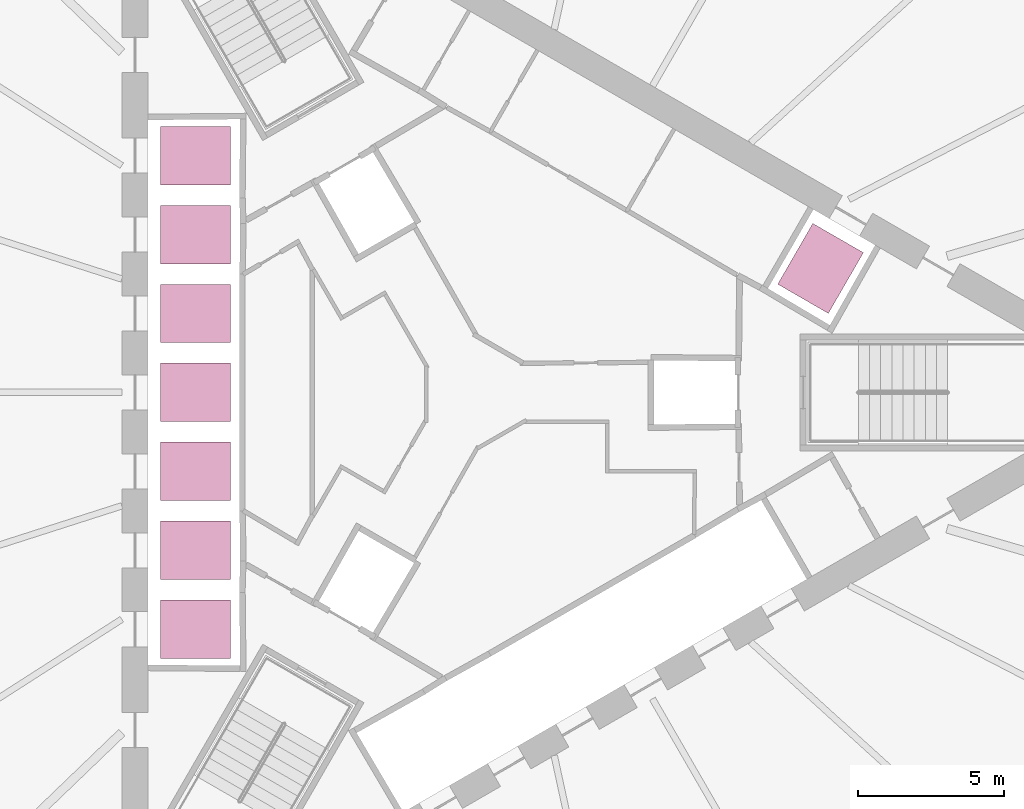
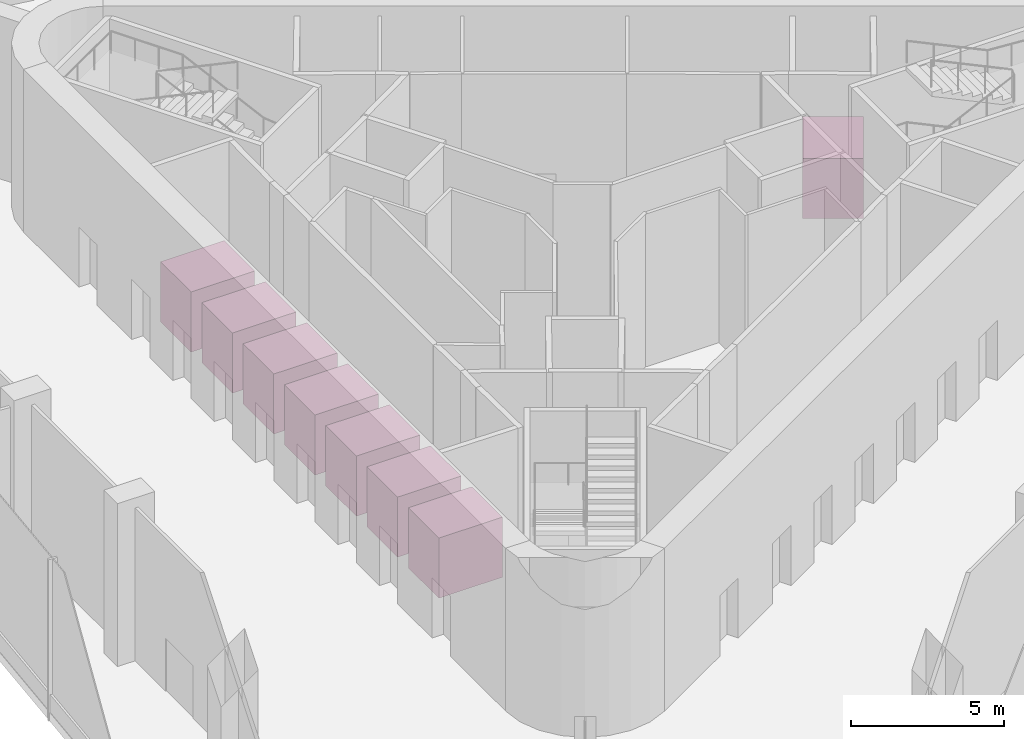
# One storey, part 15 of 15: 8 transport elements.
"""IFC4 building model written with IfcOpenShell, lengths in metres."""

from ifc_helpers import new_model, si_unit, direction, frame, origin, origin_2d, place, context, subcontext, project, spatial, rectangle, extrude, material, type_object, element, save


model = new_model("IFC4")

# Units and contexts
model_context = context("Model", 3, precision=1e-05, world=origin(), true_north=direction((0.0, 1.0)))
body_context = subcontext(model_context, "Body", "Model", "MODEL_VIEW")
ifc_project = project(units=[si_unit("LENGTHUNIT", "METRE"), si_unit("AREAUNIT", "SQUARE_METRE"), si_unit("VOLUMEUNIT", "CUBIC_METRE"), si_unit("PLANEANGLEUNIT", "RADIAN"), si_unit("MASSUNIT", "GRAM", prefix="KILO")], contexts=[model_context])

# Site, building, storey
site_placement = place(None, origin())
site = spatial("IfcSite", under=ifc_project, at=site_placement, CompositionType="ELEMENT")
building_placement = place(site_placement, origin())
building = spatial("IfcBuilding", under=site, at=building_placement, Name="Tanit Gate Tower", CompositionType="ELEMENT")
storey_placement = place(building_placement, frame((0.0, 0.0, 277.199951171875)))
storey = spatial("IfcBuildingStorey", under=building, at=storey_placement, Name="L63", CompositionType="ELEMENT", Elevation=277.199951171875)

# Transport elements
ifc_material = material(Name="Stainless steel lift car", Category="steel")
transport_element_type = type_object("IfcTransportElementType", Name="INT-LIFT-2000X2400-1600", PredefinedType="ELEVATOR", material=ifc_material)
for number, where, z_axis, x_axis, name in (
    (1, (-9.574951171875, 8.10009765625, 0.0), (0.0, 0.0, 1.0), (0.0, -1.0, 0.0), "Lift HL1"),
    (2, (-9.574951171875, 5.39990234375, 0.0), (0.0, 0.0, 1.0), (0.0, -1.0, 0.0), "Lift HL2"),
    (3, (-9.574951171875, 2.699951171875, 0.0), (0.0, 0.0, 1.0), (0.0, -1.0, 0.0), "Lift HL3"),
    (4, (-9.574951171875, 0.0, 0.0), (0.0, 0.0, 1.0), (0.0, -1.0, 0.0), "Lift HL4"),
    (5, (-9.574951171875, -2.699951171875, 0.0), (0.0, 0.0, 1.0), (0.0, -1.0, 0.0), "Lift HL5"),
    (6, (-9.574951171875, -5.39990234375, 0.0), (0.0, 0.0, 1.0), (0.0, -1.0, 0.0), "Lift HL6"),
    (7, (-9.574951171875, -8.10009765625, 0.0), (0.0, 0.0, 1.0), (0.0, -1.0, 0.0), "Lift HL7"),
    (8, (11.80224609375, 4.2421875, 0.0), (0.0, 0.0, 1.0), (-0.866025403784, 0.5, 0.0), "Lift HL8"),
):
    element("IfcTransportElement", number, at=place(storey_placement, frame(where, z_axis=z_axis, x_axis=x_axis)), inside=storey, type_object=transport_element_type, Name=name, PredefinedType="ELEVATOR", context=body_context, shape_type="SweptSolid", body=[
        extrude(rectangle(XDim=2.0, YDim=2.39990234375, at=origin_2d()), origin(), (0.0, 0.0, 1.0), 2.39990234375),
    ])

save(model, "model.ifc")
